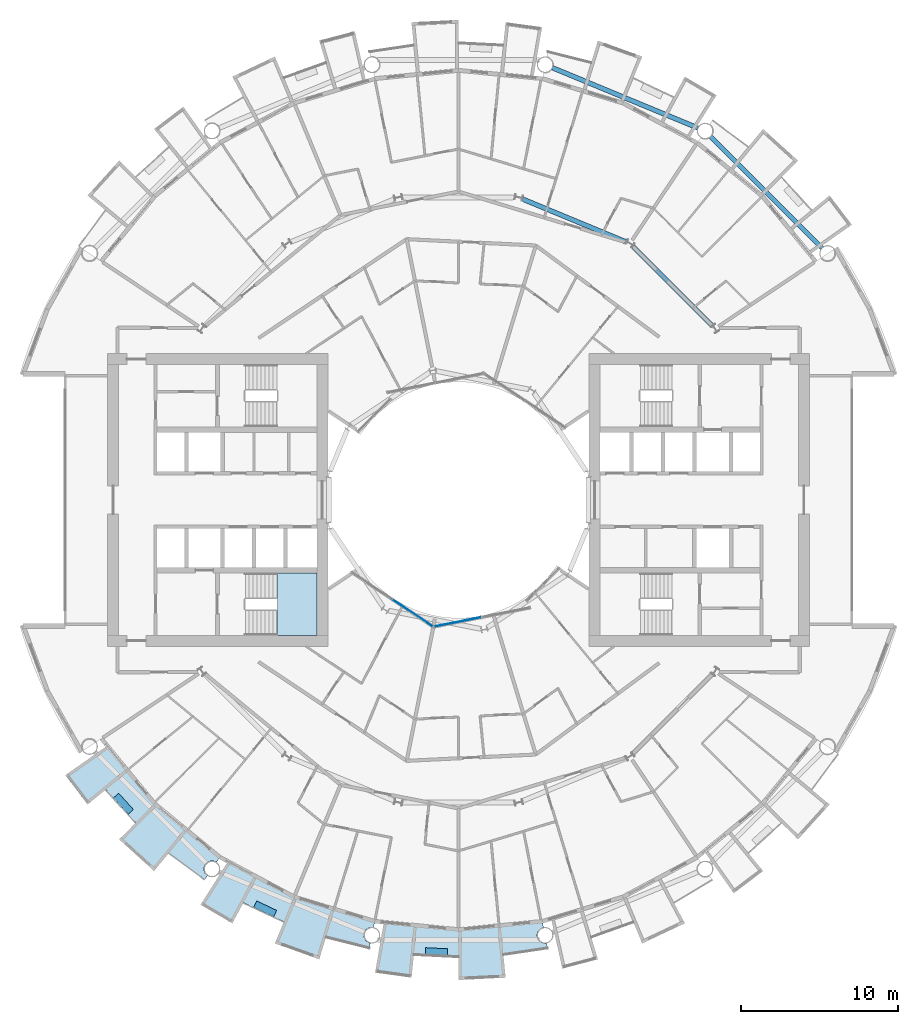
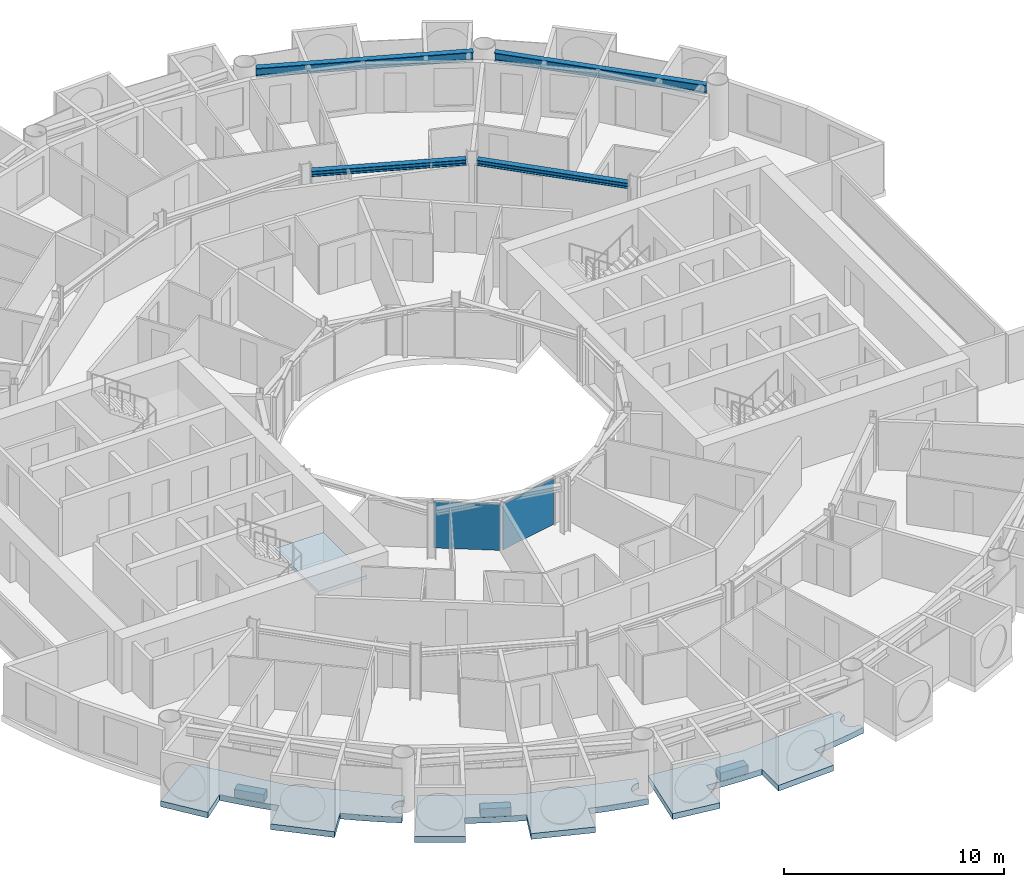
# One storey, part 9 of 26: 7 slabs, 4 beams, 2 plates, 3 elements without a shape of their own.
"""IFC4 building model written with IfcOpenShell, lengths in metres."""

from ifc_helpers import new_model, si_unit, direction, frame, origin, origin_2d, place, context, subcontext, project, spatial, polyline, rectangle, i_section, outline, extrude, material, layer, layer_set, material_profile, profile_set, type_object, element, aggregate, save


model = new_model("IFC4")

# Units and contexts
model_context = context("Model", 3, precision=1e-05, world=origin(), true_north=direction((0.0, 1.0)))
body_context = subcontext(model_context, "Body", "Model", "MODEL_VIEW")
ifc_project = project(units=[si_unit("LENGTHUNIT", "METRE"), si_unit("AREAUNIT", "SQUARE_METRE"), si_unit("VOLUMEUNIT", "CUBIC_METRE"), si_unit("PLANEANGLEUNIT", "RADIAN"), si_unit("MASSUNIT", "GRAM", prefix="KILO")], contexts=[model_context])

# Site, building, storey
site_placement = place(None, origin())
site = spatial("IfcSite", under=ifc_project, at=site_placement, CompositionType="ELEMENT")
building_placement = place(site_placement, origin())
building = spatial("IfcBuilding", under=site, at=building_placement, Name="Maasbend Ring Residences", CompositionType="ELEMENT")
storey_placement = place(building_placement, frame((0.0, 0.0, 91.050048828125)))
storey = spatial("IfcBuildingStorey", under=building, at=storey_placement, Name="L26", CompositionType="ELEMENT", Elevation=91.050048828125)

# Beams
ifc_material_1 = material(Name="Steel S355J2", Category="steel")
ifc_material_profile_1 = material_profile(ifc_material_1, i_section(OverallWidth=0.300048828125, OverallDepth=0.300048828125, WebThickness=0.010986328125, FlangeThickness=0.01904296875, FilletRadius=0.027099609375, at=origin_2d()), Name="HEB 300")
ifc_profile_set_1 = profile_set([ifc_material_profile_1], Name="Steel S355J2")
beam_type_1 = type_object("IfcBeamType", Name="Corridor ring beam HEB 300", PredefinedType="BEAM", material=ifc_profile_set_1)
for number, where, z_axis, x_axis, name in (
    (1, (16.10791015625, 11.078125, 2.550048828125), (-0.707106781187, 0.707106781187, 0.0), (-0.707106781187, -0.707106781187, 0.0), "Corridor ring beam"),
    (2, (10.642333984375, 16.39892578125, 2.550048828125), (-0.923877113721, 0.382689271788, 0.0), (-0.382689271788, -0.923877113721, 0.0), "Corridor ring beam"),
):
    element("IfcBeam", number, at=place(storey_placement, frame(where, z_axis=z_axis, x_axis=x_axis)), inside=storey, type_object=beam_type_1, Name=name, PredefinedType="BEAM", context=body_context, shape_type="SweptSolid", body=[
        extrude(i_section(OverallWidth=0.300048828125, OverallDepth=0.300048828125, WebThickness=0.010986328125, FlangeThickness=0.01904296875, FilletRadius=0.027099609375, at=origin_2d()), origin(), (0.0, 0.0, 1.0), 7.11328125),
    ])
ifc_material_2 = material(Name="Steel S355J2", Category="steel")
ifc_material_profile_2 = material_profile(ifc_material_2, i_section(OverallWidth=0.300048828125, OverallDepth=0.5, WebThickness=0.014404296875, FlangeThickness=0.028076171875, FilletRadius=0.027099609375, at=origin_2d()), Name="HEB 500")
ifc_profile_set_2 = profile_set([ifc_material_profile_2], Name="Steel S355J2")
beam_type_2 = type_object("IfcBeamType", Name="Spandrel ring beam HEB 500", PredefinedType="SPANDREL", material=ifc_profile_set_2)
beam_1_placement = place(storey_placement, frame((23.088134765625, 16.0263671875, 2.449951171875), z_axis=(-0.707106781187, 0.707106781187, 0.0), x_axis=(-0.707106781187, -0.707106781187, 0.0)))
element("IfcBeam", 3, at=beam_1_placement, inside=storey, type_object=beam_type_2, Name="Spandrel ring beam", PredefinedType="SPANDREL", context=body_context, shape_type="SweptSolid", body=[
    extrude(i_section(OverallWidth=0.300048828125, OverallDepth=0.5, WebThickness=0.014404296875, FlangeThickness=0.028076171875, FilletRadius=0.027099609375, at=origin_2d()), origin(), (0.0, 0.0, 1.0), 9.98681640625),
])
beam_2_placement = place(storey_placement, frame((15.19775390625, 23.641845703125, 2.449951171875), z_axis=(-0.923886337442, 0.382667003395, 0.0), x_axis=(-0.382667003395, -0.923886337442, 0.0)))
element("IfcBeam", 4, at=beam_2_placement, inside=storey, type_object=beam_type_2, Name="Spandrel ring beam", PredefinedType="SPANDREL", context=body_context, shape_type="SweptSolid", body=[
    extrude(i_section(OverallWidth=0.300048828125, OverallDepth=0.5, WebThickness=0.014404296875, FlangeThickness=0.028076171875, FilletRadius=0.027099609375, at=origin_2d()), origin(), (0.0, 0.0, 1.0), 9.9873046875),
])

# Stair, slab
ifc_material_3 = material(Name="Concrete C40/50", Category="concrete")
stair_type = type_object("IfcStairType", Name="CORE STAIR 18 RISERS", PredefinedType="HALF_TURN_STAIR", material=ifc_material_3)
stair_placement = place(storey_placement, origin())
stair = element("IfcStair", 5, at=stair_placement, inside=storey, type_object=stair_type, Name="L26 Exit stair ST-W1", PredefinedType="HALF_TURN_STAIR")
ifc_material_4 = material(Name="Concrete C40/50", Category="concrete")
ifc_layer_1 = layer(ifc_material_4, 0.199951171875)
ifc_layer_set_1 = layer_set([ifc_layer_1], Name="Concrete C40/50")
slab_type_1 = type_object("IfcSlabType", Name="CORE STAIR LANDING 200", PredefinedType="LANDING", material=ifc_layer_set_1)
slab_1_placement = place(storey_placement, frame((0.0, 0.0, 1.324951171875)))
slab_1 = element("IfcSlab", 6, at=slab_1_placement, type_object=slab_type_1, Name="ST-W1 landing 1", PredefinedType="LANDING", context=body_context, shape_type="SweptSolid", body=[
    extrude(outline(polyline([(-11.550048828125, -8.60009765625), (-9.0, -8.60009765625), (-9.0, -4.64990234375), (-11.550048828125, -4.64990234375), (-11.550048828125, -8.60009765625)])), origin(), (0.0, 0.0, 1.0), 0.199951171875),
])
aggregate(stair, [slab_1])

# Curtain wall, plate
ifc_material_5 = material(Name="Aluminium and clear glass", Category="aluminium")
ifc_layer_2 = layer(ifc_material_5, 0.179931640625)
ifc_layer_set_2 = layer_set([ifc_layer_2], Name="CW-W")
curtain_wall_type = type_object("IfcCurtainWallType", Name="CW-W", PredefinedType="NOTDEFINED", material=ifc_layer_set_2)
curtain_wall_1_placement = place(storey_placement, origin())
curtain_wall_1 = element("IfcCurtainWall", 7, at=curtain_wall_1_placement, inside=storey, type_object=curtain_wall_type, Name="Well curtain wall S1", PredefinedType="NOTDEFINED")
ifc_material_6 = material(Name="Glass clear laminated", Category="glass")
ifc_layer_3 = layer(ifc_material_6, 0.031982421875)
ifc_layer_set_3 = layer_set([ifc_layer_3], Name="CWP-W")
plate_type = type_object("IfcPlateType", Name="CWP-W", PredefinedType="CURTAIN_PANEL", material=ifc_layer_set_3)
plate_1_placement = place(storey_placement, frame((-2.922119140625, -7.17578125, 0.0), z_axis=(0.0, 0.0, 1.0), x_axis=(0.831469612303, -0.55557023302, 0.0)))
plate_1 = element("IfcPlate", 8, at=plate_1_placement, type_object=plate_type, Name="Glass panel well face", PredefinedType="CURTAIN_PANEL", context=body_context, shape_type="SweptSolid", body=[
    extrude(rectangle(XDim=3.053955078125, YDim=0.031982421875, at=origin_2d()), origin(), (0.0, 0.0, 1.0), 2.580078125),
])
aggregate(curtain_wall_1, [plate_1])

curtain_wall_2_placement = place(storey_placement, origin())
curtain_wall_2 = element("IfcCurtainWall", 9, at=curtain_wall_2_placement, inside=storey, type_object=curtain_wall_type, Name="Well curtain wall S2", PredefinedType="NOTDEFINED")
plate_2_placement = place(storey_placement, frame((-0.04638671875, -7.747802734375, 0.0), z_axis=(0.0, 0.0, 1.0), x_axis=(0.980785280403, 0.195090322016, 0.0)))
plate_2 = element("IfcPlate", 10, at=plate_2_placement, type_object=plate_type, Name="Glass panel well face", PredefinedType="CURTAIN_PANEL", context=body_context, shape_type="SweptSolid", body=[
    extrude(rectangle(XDim=3.053955078125, YDim=0.031982421875, at=origin_2d()), origin(), (0.0, 0.0, 1.0), 2.580078125),
])
aggregate(curtain_wall_2, [plate_2])

# Slabs
ifc_material_7 = material(Name="Planting with climbing greenery")
ifc_layer_4 = layer(ifc_material_7, 0.449951171875)
ifc_layer_set_4 = layer_set([ifc_layer_4], Name="PLANTER-LG")
slab_type_2 = type_object("IfcSlabType", Name="PLANTER-LG", PredefinedType="USERDEFINED", material=ifc_layer_set_4)
slab_2_placement = place(storey_placement, frame((0.0, 0.0, -0.030029296875)))
element("IfcSlab", 11, at=slab_2_placement, inside=storey, type_object=slab_type_2, Name="Planter with climbing greenery 1", ObjectType="PLANTER", PredefinedType="USERDEFINED", context=body_context, shape_type="SweptSolid", body=[
    extrude(outline(polyline([(-21.931884765625, -18.93310546875), (-20.991943359375, -19.969970703125), (-20.657958984375, -19.66796875), (-21.597900390625, -18.631103515625), (-21.931884765625, -18.93310546875)])), origin(), (0.0, 0.0, 1.0), 0.449951171875),
])
slab_3_placement = place(storey_placement, frame((0.0, 0.0, -0.030029296875)))
element("IfcSlab", 12, at=slab_3_placement, inside=storey, type_object=slab_type_2, Name="Planter with climbing greenery 2", ObjectType="PLANTER", PredefinedType="USERDEFINED", context=body_context, shape_type="SweptSolid", body=[
    extrude(outline(polyline([(-13.01708984375, -25.885009765625), (-11.7509765625, -26.48291015625), (-11.55908203125, -26.076904296875), (-12.824951171875, -25.47802734375), (-13.01708984375, -25.885009765625)])), origin(), (0.0, 0.0, 1.0), 0.449951171875),
])
slab_4_placement = place(storey_placement, frame((0.0, 0.0, -0.030029296875)))
element("IfcSlab", 13, at=slab_4_placement, inside=storey, type_object=slab_type_2, Name="Planter with climbing greenery 3", ObjectType="PLANTER", PredefinedType="USERDEFINED", context=body_context, shape_type="SweptSolid", body=[
    extrude(outline(polyline([(-2.1201171875, -28.89599609375), (-0.721923828125, -28.965087890625), (-0.699951171875, -28.514892578125), (-2.097900390625, -28.446044921875), (-2.1201171875, -28.89599609375)])), origin(), (0.0, 0.0, 1.0), 0.449951171875),
])
ifc_material_8 = material(Name="Concrete C40/50", Category="concrete")
ifc_layer_5 = layer(ifc_material_8, 0.199951171875)
ifc_layer_set_5 = layer_set([ifc_layer_5], Name="Concrete C40/50")
slab_type_3 = type_object("IfcSlabType", Name="SL-LOGGIA", PredefinedType="FLOOR", material=ifc_layer_set_5)
slab_5_placement = place(storey_placement, frame((0.0, 0.0, -0.35009765625)))
element("IfcSlab", 14, at=slab_5_placement, inside=storey, type_object=slab_type_3, Name="Loggia floor 2", PredefinedType="FLOOR", context=body_context, shape_type="SweptSolid", body=[
    extrude(outline(polyline([(-12.806884765625, -23.9609375), (-10.447021484375, -25.221923828125), (-10.447021484375, -25.221923828125), (-10.447021484375, -25.221923828125), (-7.886962890625, -25.9990234375), (-5.325927734375, -26.77490234375), (-5.325927734375, -26.77490234375), (-5.325927734375, -26.77490234375), (-5.402099609375, -27.159912109375), (-5.4150390625, -27.157958984375), (-5.427001953125, -27.156005859375), (-5.43896484375, -27.154052734375), (-5.451904296875, -27.153076171875), (-5.464111328125, -27.15087890625), (-5.47705078125, -27.15087890625), (-5.489013671875, -27.14990234375), (-5.501953125, -27.14990234375), (-5.513916015625, -27.14990234375), (-5.52587890625, -27.15087890625), (-5.5390625, -27.15087890625), (-5.551025390625, -27.153076171875), (-5.56396484375, -27.154052734375), (-5.575927734375, -27.156005859375), (-5.587890625, -27.157958984375), (-5.60107421875, -27.159912109375), (-5.613037109375, -27.162109375), (-5.625, -27.1650390625), (-5.636962890625, -27.1689453125), (-5.64892578125, -27.172119140625), (-5.660888671875, -27.176025390625), (-5.673095703125, -27.179931640625), (-5.68408203125, -27.18408203125), (-5.696044921875, -27.18896484375), (-5.70703125, -27.194091796875), (-5.718994140625, -27.198974609375), (-5.72998046875, -27.2041015625), (-5.740966796875, -27.2099609375), (-5.751953125, -27.216064453125), (-5.762939453125, -27.221923828125), (-5.77294921875, -27.22900390625), (-5.783935546875, -27.236083984375), (-5.7939453125, -27.242919921875), (-5.803955078125, -27.25), (-5.81396484375, -27.258056640625), (-5.823974609375, -27.264892578125), (-5.8330078125, -27.27294921875), (-5.843017578125, -27.281982421875), (-5.85205078125, -27.2900390625), (-5.861083984375, -27.299072265625), (-5.868896484375, -27.30810546875), (-5.8779296875, -27.31689453125), (-5.885986328125, -27.325927734375), (-5.89404296875, -27.3359375), (-5.902099609375, -27.345947265625), (-5.909912109375, -27.35498046875), (-5.9169921875, -27.365966796875), (-5.924072265625, -27.3759765625), (-5.930908203125, -27.385986328125), (-5.93701171875, -27.39697265625), (-5.944091796875, -27.407958984375), (-5.949951171875, -27.4189453125), (-5.955078125, -27.429931640625), (-5.9609375, -27.44091796875), (-5.966064453125, -27.451904296875), (-5.970947265625, -27.464111328125), (-5.97509765625, -27.47509765625), (-5.97998046875, -27.487060546875), (-5.98388671875, -27.4990234375), (-5.988037109375, -27.510986328125), (-5.990966796875, -27.52294921875), (-5.993896484375, -27.534912109375), (-5.9970703125, -27.547119140625), (-6.0, -27.55908203125), (-6.001953125, -27.571044921875), (-6.00390625, -27.583984375), (-6.006103515625, -27.595947265625), (-6.007080078125, -27.60791015625), (-6.008056640625, -27.62109375), (-6.009033203125, -27.633056640625), (-6.009033203125, -27.64599609375), (-6.010009765625, -27.657958984375), (-6.009033203125, -27.6708984375), (-6.009033203125, -27.68310546875), (-6.008056640625, -27.695068359375), (-6.007080078125, -27.7080078125), (-6.006103515625, -27.719970703125), (-6.00390625, -27.73291015625), (-6.001953125, -27.7451171875), (-6.0, -27.757080078125), (-5.9970703125, -27.76904296875), (-5.993896484375, -27.781982421875), (-5.990966796875, -27.7939453125), (-5.988037109375, -27.805908203125), (-5.98388671875, -27.81689453125), (-5.97998046875, -27.8291015625), (-5.97509765625, -27.841064453125), (-5.970947265625, -27.85302734375), (-5.966064453125, -27.864013671875), (-5.9609375, -27.875), (-5.955078125, -27.886962890625), (-5.949951171875, -27.89794921875), (-5.944091796875, -27.907958984375), (-5.93701171875, -27.9189453125), (-5.930908203125, -27.929931640625), (-5.924072265625, -27.93994140625), (-5.9169921875, -27.950927734375), (-5.909912109375, -27.9609375), (-5.902099609375, -27.970947265625), (-5.89404296875, -27.97998046875), (-5.885986328125, -27.989990234375), (-5.8779296875, -27.9990234375), (-5.868896484375, -28.008056640625), (-5.861083984375, -28.01708984375), (-5.85205078125, -28.02587890625), (-5.843017578125, -28.034912109375), (-5.8330078125, -28.04296875), (-5.823974609375, -28.051025390625), (-5.81396484375, -28.05908203125), (-5.803955078125, -28.06591796875), (-5.7939453125, -28.072998046875), (-5.783935546875, -28.080078125), (-5.77294921875, -28.0869140625), (-5.762939453125, -28.093994140625), (-5.751953125, -28.10009765625), (-5.740966796875, -28.10595703125), (-5.72998046875, -28.112060546875), (-5.718994140625, -28.116943359375), (-5.70703125, -28.123046875), (-5.696044921875, -28.126953125), (-5.68408203125, -28.132080078125), (-5.673095703125, -28.135986328125), (-5.660888671875, -28.139892578125), (-5.64892578125, -28.14404296875), (-5.636962890625, -28.14794921875), (-5.625, -28.15087890625), (-5.613037109375, -28.154052734375), (-5.60107421875, -28.156005859375), (-5.657958984375, -28.443115234375), (-5.657958984375, -28.443115234375), (-5.657958984375, -28.443115234375), (-6.5849609375, -28.241943359375), (-6.5849609375, -28.241943359375), (-7.506103515625, -28.011962890625), (-7.506103515625, -28.011962890625), (-8.41796875, -27.7509765625), (-8.41796875, -27.7509765625), (-8.41796875, -27.7509765625), (-8.41796875, -27.7509765625), (-8.41796875, -27.7509765625), (-8.41796875, -27.7509765625), (-8.41796875, -27.7509765625), (-8.41796875, -27.7509765625), (-8.41796875, -27.7509765625), (-8.41796875, -27.7509765625), (-8.41796875, -27.751953125), (-8.41796875, -27.751953125), (-8.41796875, -27.751953125), (-8.41796875, -27.751953125), (-8.41796875, -27.751953125), (-8.41796875, -27.751953125), (-8.41796875, -27.751953125), (-8.85400390625, -29.18701171875), (-8.85400390625, -29.18701171875), (-8.85400390625, -29.18701171875), (-11.672119140625, -28.177978515625), (-11.672119140625, -28.177978515625), (-11.672119140625, -28.177978515625), (-11.097900390625, -26.79296875), (-11.097900390625, -26.79296875), (-11.097900390625, -26.79296875), (-11.097900390625, -26.79296875), (-11.097900390625, -26.79296875), (-11.097900390625, -26.79296875), (-11.097900390625, -26.79296875), (-11.097900390625, -26.79296875), (-11.097900390625, -26.79296875), (-11.097900390625, -26.79296875), (-11.097900390625, -26.7919921875), (-11.097900390625, -26.7919921875), (-11.097900390625, -26.7919921875), (-11.097900390625, -26.7919921875), (-11.097900390625, -26.7919921875), (-11.097900390625, -26.7919921875), (-11.097900390625, -26.7919921875), (-11.968994140625, -26.4150390625), (-11.968994140625, -26.4150390625), (-12.825927734375, -26.009033203125), (-12.825927734375, -26.009033203125), (-13.669921875, -25.575927734375), (-13.669921875, -25.575927734375), (-13.669921875, -25.575927734375), (-13.669921875, -25.575927734375), (-13.669921875, -25.575927734375), (-13.669921875, -25.575927734375), (-13.669921875, -25.575927734375), (-13.669921875, -25.575927734375), (-13.669921875, -25.575927734375), (-13.669921875, -25.575927734375), (-13.6708984375, -25.575927734375), (-13.6708984375, -25.575927734375), (-13.6708984375, -25.575927734375), (-13.6708984375, -25.575927734375), (-13.6708984375, -25.575927734375), (-13.6708984375, -25.575927734375), (-13.6708984375, -25.575927734375), (-14.3779296875, -26.89892578125), (-14.3779296875, -26.89892578125), (-14.3779296875, -26.89892578125), (-16.39404296875, -25.718994140625), (-16.39404296875, -25.718994140625), (-16.39404296875, -25.718994140625), (-14.64599609375, -22.97705078125), (-14.64599609375, -22.97705078125), (-14.64599609375, -22.97705078125), (-12.806884765625, -23.9609375)])), origin(), (0.0, 0.0, 1.0), 0.320068359375),
])
slab_6_placement = place(storey_placement, frame((0.0, 0.0, -0.35009765625)))
element("IfcSlab", 15, at=slab_6_placement, inside=storey, type_object=slab_type_3, Name="Loggia floor 3", PredefinedType="FLOOR", context=body_context, shape_type="SweptSolid", body=[
    extrude(outline(polyline([(-2.6630859375, -27.0380859375), (0.0, -27.300048828125), (0.0, -27.300048828125), (0.0, -27.300048828125), (2.6630859375, -27.0380859375), (5.325927734375, -26.77490234375), (5.325927734375, -26.77490234375), (5.325927734375, -26.77490234375), (5.402099609375, -27.159912109375), (5.402099609375, -27.159912109375), (5.389892578125, -27.162109375), (5.3779296875, -27.1650390625), (5.365966796875, -27.1689453125), (5.35400390625, -27.172119140625), (5.342041015625, -27.176025390625), (5.330078125, -27.179931640625), (5.319091796875, -27.18408203125), (5.306884765625, -27.18896484375), (5.2958984375, -27.194091796875), (5.283935546875, -27.198974609375), (5.27294921875, -27.2041015625), (5.261962890625, -27.2099609375), (5.2509765625, -27.216064453125), (5.239990234375, -27.221923828125), (5.22998046875, -27.22900390625), (5.218994140625, -27.236083984375), (5.208984375, -27.242919921875), (5.198974609375, -27.25), (5.18896484375, -27.258056640625), (5.178955078125, -27.264892578125), (5.169921875, -27.27294921875), (5.159912109375, -27.281982421875), (5.15087890625, -27.2900390625), (5.14208984375, -27.299072265625), (5.134033203125, -27.30810546875), (5.125, -27.31689453125), (5.116943359375, -27.325927734375), (5.10888671875, -27.3359375), (5.10107421875, -27.345947265625), (5.093017578125, -27.35498046875), (5.0859375, -27.365966796875), (5.0791015625, -27.3759765625), (5.072021484375, -27.385986328125), (5.06591796875, -27.39697265625), (5.05908203125, -27.407958984375), (5.052978515625, -27.4189453125), (5.048095703125, -27.429931640625), (5.0419921875, -27.44091796875), (5.037109375, -27.451904296875), (5.031982421875, -27.464111328125), (5.028076171875, -27.47509765625), (5.02294921875, -27.487060546875), (5.01904296875, -27.4990234375), (5.014892578125, -27.510986328125), (5.011962890625, -27.52294921875), (5.009033203125, -27.534912109375), (5.006103515625, -27.547119140625), (5.0029296875, -27.55908203125), (5.0009765625, -27.571044921875), (4.9990234375, -27.583984375), (4.9970703125, -27.595947265625), (4.99609375, -27.60791015625), (4.9951171875, -27.62109375), (4.993896484375, -27.633056640625), (4.993896484375, -27.64599609375), (4.993896484375, -27.657958984375), (4.993896484375, -27.6708984375), (4.993896484375, -27.68310546875), (4.9951171875, -27.695068359375), (4.99609375, -27.7080078125), (4.9970703125, -27.719970703125), (4.9990234375, -27.73291015625), (5.0009765625, -27.7451171875), (5.0029296875, -27.757080078125), (5.006103515625, -27.76904296875), (5.009033203125, -27.781982421875), (5.011962890625, -27.7939453125), (5.014892578125, -27.805908203125), (5.01904296875, -27.81689453125), (5.02294921875, -27.8291015625), (5.028076171875, -27.841064453125), (5.031982421875, -27.85302734375), (5.037109375, -27.864013671875), (5.0419921875, -27.875), (5.048095703125, -27.886962890625), (5.052978515625, -27.89794921875), (5.05908203125, -27.907958984375), (5.06591796875, -27.9189453125), (5.072021484375, -27.929931640625), (5.0791015625, -27.93994140625), (5.0859375, -27.950927734375), (5.093017578125, -27.9609375), (5.10107421875, -27.970947265625), (5.10888671875, -27.97998046875), (5.116943359375, -27.989990234375), (5.125, -27.9990234375), (5.134033203125, -28.008056640625), (5.14208984375, -28.01708984375), (5.15087890625, -28.02587890625), (5.159912109375, -28.034912109375), (5.169921875, -28.04296875), (5.178955078125, -28.051025390625), (5.18896484375, -28.05908203125), (5.198974609375, -28.06591796875), (5.208984375, -28.072998046875), (5.218994140625, -28.080078125), (5.22998046875, -28.0869140625), (5.239990234375, -28.093994140625), (5.2509765625, -28.10009765625), (5.261962890625, -28.10595703125), (5.27294921875, -28.112060546875), (5.283935546875, -28.116943359375), (5.2958984375, -28.123046875), (5.306884765625, -28.126953125), (5.319091796875, -28.132080078125), (5.330078125, -28.135986328125), (5.342041015625, -28.139892578125), (5.35400390625, -28.14404296875), (5.365966796875, -28.14794921875), (5.3779296875, -28.15087890625), (5.389892578125, -28.154052734375), (5.402099609375, -28.156005859375), (5.4150390625, -28.158935546875), (5.427001953125, -28.160888671875), (5.43896484375, -28.162109375), (5.451904296875, -28.1640625), (5.464111328125, -28.1650390625), (5.47705078125, -28.1650390625), (5.489013671875, -28.166015625), (5.501953125, -28.166015625), (5.513916015625, -28.166015625), (5.52587890625, -28.1650390625), (5.5390625, -28.1650390625), (5.551025390625, -28.1640625), (5.56396484375, -28.162109375), (5.575927734375, -28.160888671875), (5.587890625, -28.158935546875), (5.60107421875, -28.156005859375), (5.60107421875, -28.156005859375), (5.657958984375, -28.443115234375), (5.657958984375, -28.443115234375), (5.657958984375, -28.443115234375), (4.72412109375, -28.613037109375), (4.72412109375, -28.613037109375), (3.784912109375, -28.751953125), (3.784912109375, -28.751953125), (2.843017578125, -28.860107421875), (2.843017578125, -28.860107421875), (2.843017578125, -28.860107421875), (2.843017578125, -28.860107421875), (2.843017578125, -28.860107421875), (2.843017578125, -28.860107421875), (2.843017578125, -28.860107421875), (2.843017578125, -28.860107421875), (2.843017578125, -28.860107421875), (2.843017578125, -28.861083984375), (2.843017578125, -28.861083984375), (2.843017578125, -28.861083984375), (2.843017578125, -28.861083984375), (2.843017578125, -28.861083984375), (2.843017578125, -28.861083984375), (2.843017578125, -28.861083984375), (2.843017578125, -28.861083984375), (2.989990234375, -30.35302734375), (2.989990234375, -30.35302734375), (2.989990234375, -30.35302734375), (0.0, -30.5), (0.0, -30.5), (0.0, -30.5), (0.0, -29.0), (0.0, -29.0), (0.0, -29.0), (0.0, -29.0), (0.0, -29.0), (0.0, -29.0), (0.0, -29.0), (0.0, -29.0), (0.0, -29.0), (0.0, -29.0), (0.0, -29.0), (0.0, -29.0), (0.0, -29.0), (0.0, -29.0), (0.0, -29.0), (0.0, -29.0), (0.0, -29.0), (-0.948974609375, -28.98388671875), (-0.948974609375, -28.98388671875), (-1.89697265625, -28.93798828125), (-1.89697265625, -28.93798828125), (-2.842041015625, -28.860107421875), (-2.842041015625, -28.860107421875), (-2.842041015625, -28.860107421875), (-2.842041015625, -28.860107421875), (-2.842041015625, -28.860107421875), (-2.842041015625, -28.860107421875), (-2.842041015625, -28.860107421875), (-2.842041015625, -28.860107421875), (-2.842041015625, -28.861083984375), (-2.842041015625, -28.861083984375), (-2.842041015625, -28.861083984375), (-2.842041015625, -28.861083984375), (-2.842041015625, -28.861083984375), (-2.843017578125, -28.861083984375), (-2.843017578125, -28.861083984375), (-2.843017578125, -28.861083984375), (-2.843017578125, -28.861083984375), (-2.989990234375, -30.35302734375), (-2.989990234375, -30.35302734375), (-2.989990234375, -30.35302734375), (-5.303955078125, -30.034912109375), (-5.303955078125, -30.034912109375), (-5.303955078125, -30.034912109375), (-4.739013671875, -26.8330078125), (-4.739013671875, -26.8330078125), (-4.739013671875, -26.8330078125), (-2.6630859375, -27.0380859375)])), origin(), (0.0, 0.0, 1.0), 0.320068359375),
])
slab_7_placement = place(storey_placement, frame((0.0, 0.0, -0.35009765625)))
element("IfcSlab", 16, at=slab_7_placement, inside=storey, type_object=slab_type_3, Name="Loggia floor 5", PredefinedType="FLOOR", context=body_context, shape_type="SweptSolid", body=[
    extrude(outline(polyline([(-21.001953125, -17.236083984375), (-19.303955078125, -19.303955078125), (-19.303955078125, -19.303955078125), (-19.303955078125, -19.303955078125), (-17.236083984375, -21.001953125), (-15.1669921875, -22.698974609375), (-15.1669921875, -22.698974609375), (-15.1669921875, -22.698974609375), (-15.385009765625, -23.02490234375), (-15.385009765625, -23.02490234375), (-15.39501953125, -23.01806640625), (-15.406005859375, -23.011962890625), (-15.4169921875, -23.0048828125), (-15.427978515625, -22.9990234375), (-15.43896484375, -22.993896484375), (-15.449951171875, -22.988037109375), (-15.4609375, -22.98291015625), (-15.472900390625, -22.97802734375), (-15.48388671875, -22.972900390625), (-15.49609375, -22.968994140625), (-15.508056640625, -22.965087890625), (-15.52001953125, -22.9609375), (-15.531982421875, -22.9580078125), (-15.5439453125, -22.955078125), (-15.555908203125, -22.951904296875), (-15.568115234375, -22.948974609375), (-15.580078125, -22.947021484375), (-15.593017578125, -22.945068359375), (-15.60498046875, -22.943115234375), (-15.616943359375, -22.94189453125), (-15.6298828125, -22.94091796875), (-15.64208984375, -22.93994140625), (-15.655029296875, -22.93994140625), (-15.6669921875, -22.93896484375), (-15.679931640625, -22.93994140625), (-15.69189453125, -22.93994140625), (-15.7041015625, -22.94091796875), (-15.717041015625, -22.94189453125), (-15.72900390625, -22.943115234375), (-15.741943359375, -22.945068359375), (-15.75390625, -22.947021484375), (-15.76611328125, -22.948974609375), (-15.778076171875, -22.951904296875), (-15.791015625, -22.955078125), (-15.802978515625, -22.9580078125), (-15.81494140625, -22.9609375), (-15.825927734375, -22.965087890625), (-15.837890625, -22.968994140625), (-15.85009765625, -22.972900390625), (-15.862060546875, -22.97802734375), (-15.873046875, -22.98291015625), (-15.884033203125, -22.988037109375), (-15.89599609375, -22.993896484375), (-15.906982421875, -22.9990234375), (-15.9169921875, -23.0048828125), (-15.927978515625, -23.011962890625), (-15.93896484375, -23.01806640625), (-15.948974609375, -23.02490234375), (-15.9599609375, -23.031982421875), (-15.969970703125, -23.0390625), (-15.97998046875, -23.047119140625), (-15.989013671875, -23.054931640625), (-15.9990234375, -23.06298828125), (-16.008056640625, -23.071044921875), (-16.01708984375, -23.0791015625), (-16.02587890625, -23.087890625), (-16.034912109375, -23.096923828125), (-16.0439453125, -23.10595703125), (-16.052001953125, -23.115966796875), (-16.06005859375, -23.125), (-16.068115234375, -23.135009765625), (-16.074951171875, -23.14501953125), (-16.08203125, -23.155029296875), (-16.089111328125, -23.1650390625), (-16.095947265625, -23.176025390625), (-16.10302734375, -23.18603515625), (-16.10888671875, -23.197021484375), (-16.114990234375, -23.2080078125), (-16.12109375, -23.218994140625), (-16.1259765625, -23.22998046875), (-16.132080078125, -23.241943359375), (-16.135986328125, -23.2529296875), (-16.14111328125, -23.264892578125), (-16.14501953125, -23.27587890625), (-16.14892578125, -23.2880859375), (-16.153076171875, -23.300048828125), (-16.156982421875, -23.31201171875), (-16.159912109375, -23.323974609375), (-16.1630859375, -23.3359375), (-16.1650390625, -23.347900390625), (-16.16796875, -23.361083984375), (-16.169921875, -23.373046875), (-16.1708984375, -23.385009765625), (-16.173095703125, -23.39794921875), (-16.174072265625, -23.409912109375), (-16.174072265625, -23.422119140625), (-16.175048828125, -23.43505859375), (-16.175048828125, -23.447021484375), (-16.175048828125, -23.4599609375), (-16.174072265625, -23.471923828125), (-16.174072265625, -23.485107421875), (-16.173095703125, -23.4970703125), (-16.1708984375, -23.510009765625), (-16.169921875, -23.52197265625), (-16.16796875, -23.533935546875), (-16.1650390625, -23.547119140625), (-16.1630859375, -23.55908203125), (-16.159912109375, -23.571044921875), (-16.156982421875, -23.5830078125), (-16.153076171875, -23.594970703125), (-16.14892578125, -23.60693359375), (-16.14501953125, -23.618896484375), (-16.14111328125, -23.6298828125), (-16.135986328125, -23.64208984375), (-16.132080078125, -23.653076171875), (-16.1259765625, -23.6650390625), (-16.12109375, -23.676025390625), (-16.114990234375, -23.68701171875), (-16.10888671875, -23.697998046875), (-16.10302734375, -23.708984375), (-16.095947265625, -23.718994140625), (-16.089111328125, -23.72998046875), (-16.08203125, -23.739990234375), (-16.074951171875, -23.75), (-16.068115234375, -23.760009765625), (-16.06005859375, -23.77001953125), (-16.052001953125, -23.779052734375), (-16.0439453125, -23.7890625), (-16.034912109375, -23.798095703125), (-16.02587890625, -23.806884765625), (-16.01708984375, -23.81494140625), (-16.008056640625, -23.823974609375), (-15.9990234375, -23.83203125), (-15.989013671875, -23.840087890625), (-15.97998046875, -23.847900390625), (-15.969970703125, -23.85498046875), (-15.9599609375, -23.863037109375), (-15.948974609375, -23.8701171875), (-15.948974609375, -23.8701171875), (-16.112060546875, -24.113037109375), (-16.112060546875, -24.113037109375), (-16.112060546875, -24.113037109375), (-16.89208984375, -23.572998046875), (-16.89208984375, -23.572998046875), (-17.654052734375, -23.007080078125), (-17.654052734375, -23.007080078125), (-18.39697265625, -22.41796875), (-18.39697265625, -22.41796875), (-18.39697265625, -22.41796875), (-18.39697265625, -22.41796875), (-18.39697265625, -22.41796875), (-18.39697265625, -22.41796875), (-18.39697265625, -22.41796875), (-18.39697265625, -22.41796875), (-18.39697265625, -22.41796875), (-18.39697265625, -22.41796875), (-18.39697265625, -22.41796875), (-18.39794921875, -22.41796875), (-18.39794921875, -22.41796875), (-18.39794921875, -22.41796875), (-18.39794921875, -22.41796875), (-18.39794921875, -22.41796875), (-18.39794921875, -22.41796875), (-19.34912109375, -23.576904296875), (-19.34912109375, -23.576904296875), (-19.34912109375, -23.576904296875), (-21.56689453125, -21.56689453125), (-21.56689453125, -21.56689453125), (-21.56689453125, -21.56689453125), (-20.506103515625, -20.506103515625), (-20.506103515625, -20.506103515625), (-20.506103515625, -20.506103515625), (-20.506103515625, -20.506103515625), (-20.506103515625, -20.506103515625), (-20.506103515625, -20.506103515625), (-20.506103515625, -20.506103515625), (-20.506103515625, -20.506103515625), (-20.506103515625, -20.506103515625), (-20.506103515625, -20.506103515625), (-20.506103515625, -20.506103515625), (-20.506103515625, -20.506103515625), (-20.506103515625, -20.506103515625), (-20.506103515625, -20.506103515625), (-20.506103515625, -20.506103515625), (-20.506103515625, -20.506103515625), (-20.506103515625, -20.506103515625), (-21.166015625, -19.823974609375), (-21.166015625, -19.823974609375), (-21.802978515625, -19.12109375), (-21.802978515625, -19.12109375), (-22.4169921875, -18.39794921875), (-22.4169921875, -18.39794921875), (-22.4169921875, -18.39794921875), (-22.4169921875, -18.39794921875), (-22.4169921875, -18.39794921875), (-22.4169921875, -18.39794921875), (-22.4169921875, -18.39794921875), (-22.4169921875, -18.39794921875), (-22.4169921875, -18.39794921875), (-22.4169921875, -18.39794921875), (-22.4169921875, -18.39794921875), (-22.4169921875, -18.39794921875), (-22.41796875, -18.39794921875), (-22.41796875, -18.39794921875), (-22.41796875, -18.39794921875), (-22.41796875, -18.39794921875), (-22.41796875, -18.39794921875), (-23.576904296875, -19.34912109375), (-23.576904296875, -19.34912109375), (-23.576904296875, -19.34912109375), (-24.989013671875, -17.488037109375), (-24.989013671875, -17.488037109375), (-24.989013671875, -17.488037109375), (-22.324951171875, -15.623046875), (-22.324951171875, -15.623046875), (-22.324951171875, -15.623046875), (-21.001953125, -17.236083984375)])), origin(), (0.0, 0.0, 1.0), 0.320068359375),
])

save(model, "model.ifc")
